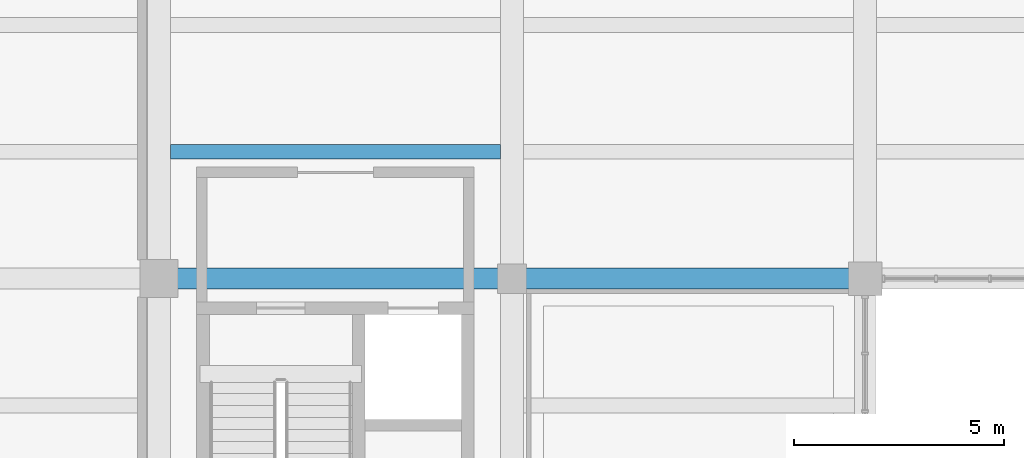
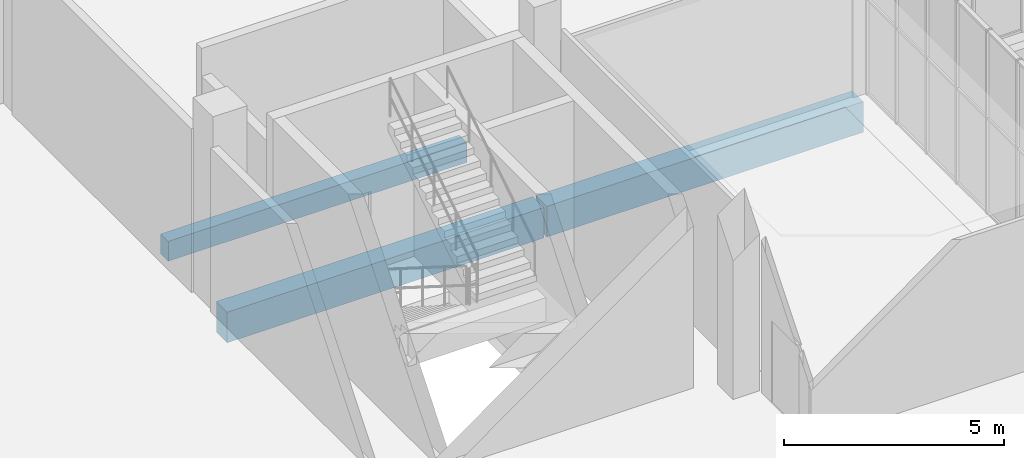
# One storey, part 35 of 132: 3 beams.
"""IFC4 building model written with IfcOpenShell, lengths in metres."""

from ifc_helpers import new_model, si_unit, direction, frame, origin, origin_2d, place, context, subcontext, project, spatial, rectangle, extrude, material, material_profile, profile_set, type_object, element, save


model = new_model("IFC4")

# Units and contexts
model_context = context("Model", 3, precision=1e-05, world=origin(), true_north=direction((0.0, 1.0)))
body_context = subcontext(model_context, "Body", "Model", "MODEL_VIEW")
ifc_project = project(units=[si_unit("LENGTHUNIT", "METRE"), si_unit("AREAUNIT", "SQUARE_METRE"), si_unit("VOLUMEUNIT", "CUBIC_METRE"), si_unit("PLANEANGLEUNIT", "RADIAN"), si_unit("MASSUNIT", "GRAM", prefix="KILO")], contexts=[model_context])

# Site, building, storey
site_placement = place(None, origin())
site = spatial("IfcSite", under=ifc_project, at=site_placement, CompositionType="ELEMENT")
building_placement = place(site_placement, origin())
building = spatial("IfcBuilding", under=site, at=building_placement, Name="Khurvash Pelagic Aquarium", CompositionType="ELEMENT")
storey_placement = place(building_placement, frame((0.0, 0.0, 5.39990234375)))
storey = spatial("IfcBuildingStorey", under=building, at=storey_placement, Name="L01", CompositionType="ELEMENT", Elevation=5.39990234375)

# Beams
ifc_material_1 = material(Name="Concrete C40/50", Category="concrete")
ifc_material_profile_1 = material_profile(ifc_material_1, rectangle(XDim=0.5, YDim=0.85009765625, at=origin_2d()), Name="RC500X850")
ifc_profile_set_1 = profile_set([ifc_material_profile_1], Name="Concrete C40/50")
beam_type_1 = type_object("IfcBeamType", Name="BM-03", PredefinedType="BEAM", material=ifc_profile_set_1)
beam_1_placement = place(storey_placement, frame((92.43994140625, 20.699951171875, -0.744873046875), z_axis=(1.0, 0.0, 0.0), x_axis=(0.0, 1.0, 0.0)))
element("IfcBeam", 1, at=beam_1_placement, inside=storey, type_object=beam_type_1, Name="L01 Primary Girder BM-03 00267", PredefinedType="BEAM", context=body_context, shape_type="SweptSolid", body=[
    extrude(rectangle(XDim=0.5, YDim=0.85009765625, at=origin_2d()), origin(), (0.0, 0.0, 1.0), 8.320068359375),
])
beam_2_placement = place(storey_placement, frame((100.840087890625, 20.699951171875, -0.744873046875), z_axis=(1.0, 0.0, 0.0), x_axis=(0.0, 1.0, 0.0)))
element("IfcBeam", 2, at=beam_2_placement, inside=storey, type_object=beam_type_1, Name="L01 Primary Girder BM-03 00268", PredefinedType="BEAM", context=body_context, shape_type="SweptSolid", body=[
    extrude(rectangle(XDim=0.5, YDim=0.85009765625, at=origin_2d()), origin(), (0.0, 0.0, 1.0), 8.31982421875),
])
ifc_material_2 = material(Name="Concrete C35/45", Category="concrete")
ifc_material_profile_2 = material_profile(ifc_material_2, rectangle(XDim=0.35009765625, YDim=0.550048828125, at=origin_2d()), Name="RC350X550")
ifc_profile_set_2 = profile_set([ifc_material_profile_2], Name="Concrete C35/45")
beam_type_2 = type_object("IfcBeamType", Name="JS-01", PredefinedType="JOIST", material=ifc_profile_set_2)
beam_3_placement = place(storey_placement, frame((92.675048828125, 23.717041015625, -0.5849609375), z_axis=(1.0, 0.0, 0.0), x_axis=(0.0, 1.0, 0.0)))
element("IfcBeam", 3, at=beam_3_placement, inside=storey, type_object=beam_type_2, Name="L01 Floor Joist JS-01 00534", PredefinedType="JOIST", context=body_context, shape_type="SweptSolid", body=[
    extrude(rectangle(XDim=0.35009765625, YDim=0.550048828125, at=origin_2d()), origin(), (0.0, 0.0, 1.0), 7.849853515625),
])

save(model, "model.ifc")
